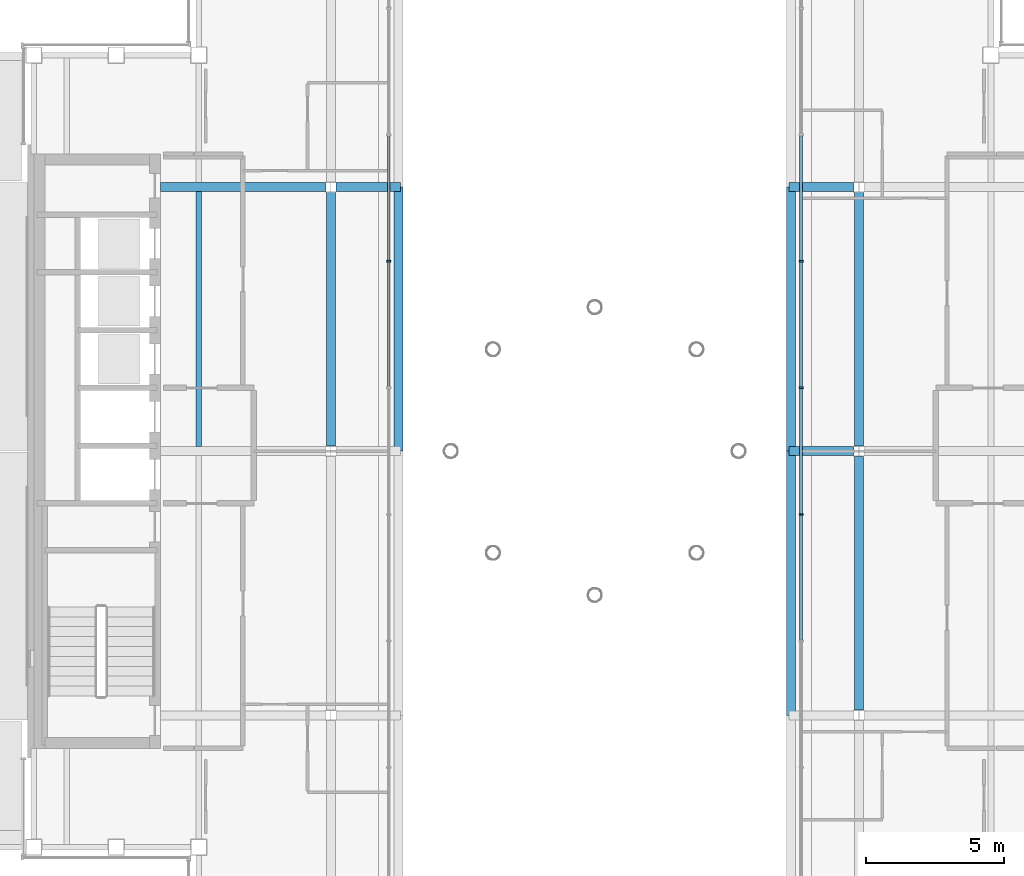
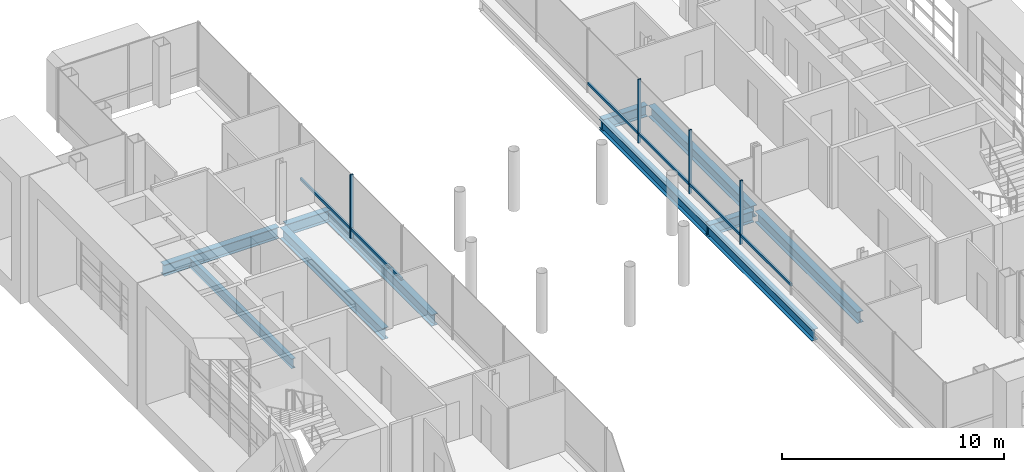
# One storey, part 5 of 21: 11 beams, 10 members, 2 elements without a shape of their own.
"""IFC4 building model written with IfcOpenShell, lengths in metres."""

from ifc_helpers import new_model, si_unit, direction, frame, origin, origin_2d, place, context, subcontext, project, spatial, rectangle, i_section, extrude, material, material_profile, profile_set, type_object, element, aggregate, save


model = new_model("IFC4")

# Units and contexts
model_context = context("Model", 3, precision=1e-05, world=origin(), true_north=direction((0.0, 1.0)))
body_context = subcontext(model_context, "Body", "Model", "MODEL_VIEW")
ifc_project = project(units=[si_unit("LENGTHUNIT", "METRE"), si_unit("AREAUNIT", "SQUARE_METRE"), si_unit("VOLUMEUNIT", "CUBIC_METRE"), si_unit("PLANEANGLEUNIT", "RADIAN"), si_unit("MASSUNIT", "GRAM", prefix="KILO")], contexts=[model_context])

# Site, building, storey
site_placement = place(None, origin())
site = spatial("IfcSite", under=ifc_project, at=site_placement, CompositionType="ELEMENT")
building_placement = place(site_placement, origin())
building = spatial("IfcBuilding", under=site, at=building_placement, Name="Cobrizo Arcos Hotel Tower", CompositionType="ELEMENT")
storey_placement = place(building_placement, frame((0.0, 0.0, 269.0)))
storey = spatial("IfcBuildingStorey", under=building, at=storey_placement, Name="L71", CompositionType="ELEMENT", Elevation=269.0)

# Curtain wall, members
ifc_material_1 = material(Name="Aluminium 6063-T6 anodised bronze", Category="aluminium")
curtain_wall_type = type_object("IfcCurtainWallType", Name="CW-C arch infill and crown glazing", PredefinedType="NOTDEFINED", material=ifc_material_1)
curtain_wall_1_placement = place(storey_placement, origin())
curtain_wall_1 = element("IfcCurtainWall", 1, at=curtain_wall_1_placement, inside=storey, type_object=curtain_wall_type, Name="CW-C L71 W face", PredefinedType="NOTDEFINED")
ifc_material_profile_1 = material_profile(ifc_material_1, rectangle(XDim=0.14990234375, YDim=0.070068359375, at=origin_2d()), Name="CW-C mullion 150x70")
ifc_profile_set_1 = profile_set([ifc_material_profile_1], Name="Aluminium 6063-T6 anodised bronze")
member_type_1 = type_object("IfcMemberType", Name="CW-C mullion 150x70", PredefinedType="MULLION", material=ifc_profile_set_1)
member_1_placement = place(storey_placement, frame((7.4970703125, 6.89990234375, 0.0), z_axis=(0.0, 0.0, 1.0), x_axis=(-1.0, 0.0, 0.0)))
member_1 = element("IfcMember", 2, at=member_1_placement, type_object=member_type_1, Name="CW-C mullion 4", PredefinedType="MULLION", context=body_context, shape_type="SweptSolid", body=[
    extrude(rectangle(XDim=0.14990234375, YDim=0.070068359375, at=origin_2d()), origin(), (0.0, 0.0, 1.0), 3.5),
])
member_2_placement = place(storey_placement, frame((7.4970703125, 2.300048828125, 0.0), z_axis=(0.0, 0.0, 1.0), x_axis=(-1.0, 0.0, 0.0)))
member_2 = element("IfcMember", 3, at=member_2_placement, type_object=member_type_1, Name="CW-C mullion 5", PredefinedType="MULLION", context=body_context, shape_type="SweptSolid", body=[
    extrude(rectangle(XDim=0.14990234375, YDim=0.070068359375, at=origin_2d()), origin(), (0.0, 0.0, 1.0), 3.5),
])
member_3_placement = place(storey_placement, frame((7.4970703125, -2.300048828125, 0.0), z_axis=(0.0, 0.0, 1.0), x_axis=(-1.0, 0.0, 0.0)))
member_3 = element("IfcMember", 4, at=member_3_placement, type_object=member_type_1, Name="CW-C mullion 6", PredefinedType="MULLION", context=body_context, shape_type="SweptSolid", body=[
    extrude(rectangle(XDim=0.14990234375, YDim=0.070068359375, at=origin_2d()), origin(), (0.0, 0.0, 1.0), 3.5),
])

# Curtain wall, member
curtain_wall_2_placement = place(storey_placement, origin())
curtain_wall_2 = element("IfcCurtainWall", 5, at=curtain_wall_2_placement, inside=storey, type_object=curtain_wall_type, Name="CW-C L71 E face", PredefinedType="NOTDEFINED")
member_4_placement = place(storey_placement, frame((-7.4970703125, 6.89990234375, 0.0), z_axis=(0.0, 0.0, 1.0), x_axis=(1.0, 0.0, 0.0)))
member_4 = element("IfcMember", 6, at=member_4_placement, type_object=member_type_1, Name="CW-C mullion 7", PredefinedType="MULLION", context=body_context, shape_type="SweptSolid", body=[
    extrude(rectangle(XDim=0.14990234375, YDim=0.070068359375, at=origin_2d()), origin(), (0.0, 0.0, 1.0), 3.5),
])

# Member
ifc_material_profile_2 = material_profile(ifc_material_1, rectangle(XDim=0.10009765625, YDim=0.139892578125, at=origin_2d()), Name="CW-C transom 140x100")
ifc_profile_set_2 = profile_set([ifc_material_profile_2], Name="Aluminium 6063-T6 anodised bronze")
member_type_2 = type_object("IfcMemberType", Name="CW-C transom 140x100", PredefinedType="USERDEFINED", material=ifc_profile_set_2)
member_5_placement = place(storey_placement, frame((7.4970703125, 11.465087890625, 0.5), z_axis=(0.0, -1.0, 0.0), x_axis=(1.0, 0.0, 0.0)))
member_5 = element("IfcMember", 7, at=member_5_placement, type_object=member_type_2, Name="CW-C transom 2222", ObjectType="TRANSOM", PredefinedType="USERDEFINED", context=body_context, shape_type="SweptSolid", body=[
    extrude(rectangle(XDim=0.10009765625, YDim=0.139892578125, at=origin_2d()), origin(), (0.0, 0.0, 1.0), 4.530029296875),
])

member_6_placement = place(storey_placement, frame((7.4970703125, 6.864990234375, 0.5), z_axis=(0.0, -1.0, 0.0), x_axis=(1.0, 0.0, 0.0)))
member_6 = element("IfcMember", 8, at=member_6_placement, type_object=member_type_2, Name="CW-C transom 2223", ObjectType="TRANSOM", PredefinedType="USERDEFINED", context=body_context, shape_type="SweptSolid", body=[
    extrude(rectangle(XDim=0.10009765625, YDim=0.139892578125, at=origin_2d()), origin(), (0.0, 0.0, 1.0), 4.530029296875),
])

member_7_placement = place(storey_placement, frame((7.4970703125, 2.264892578125, 0.5), z_axis=(0.0, -1.0, 0.0), x_axis=(1.0, 0.0, 0.0)))
member_7 = element("IfcMember", 9, at=member_7_placement, type_object=member_type_2, Name="CW-C transom 2224", ObjectType="TRANSOM", PredefinedType="USERDEFINED", context=body_context, shape_type="SweptSolid", body=[
    extrude(rectangle(XDim=0.10009765625, YDim=0.139892578125, at=origin_2d()), origin(), (0.0, 0.0, 1.0), 4.52978515625),
])

member_8_placement = place(storey_placement, frame((7.4970703125, -2.3349609375, 0.5), z_axis=(0.0, -1.0, 0.0), x_axis=(1.0, 0.0, 0.0)))
member_8 = element("IfcMember", 10, at=member_8_placement, type_object=member_type_2, Name="CW-C transom 2225", ObjectType="TRANSOM", PredefinedType="USERDEFINED", context=body_context, shape_type="SweptSolid", body=[
    extrude(rectangle(XDim=0.10009765625, YDim=0.139892578125, at=origin_2d()), origin(), (0.0, 0.0, 1.0), 4.530029296875),
])

aggregate(curtain_wall_1, [member_1, member_2, member_3, member_5, member_6, member_7, member_8])

member_9_placement = place(storey_placement, frame((-7.4970703125, 2.3349609375, 0.5), z_axis=(0.0, 1.0, 0.0), x_axis=(-1.0, 0.0, 0.0)))
member_9 = element("IfcMember", 11, at=member_9_placement, type_object=member_type_2, Name="CW-C transom 2244", ObjectType="TRANSOM", PredefinedType="USERDEFINED", context=body_context, shape_type="SweptSolid", body=[
    extrude(rectangle(XDim=0.10009765625, YDim=0.139892578125, at=origin_2d()), origin(), (0.0, 0.0, 1.0), 4.530029296875),
])

member_10_placement = place(storey_placement, frame((-7.4970703125, 6.93505859375, 0.5), z_axis=(0.0, 1.0, 0.0), x_axis=(-1.0, 0.0, 0.0)))
member_10 = element("IfcMember", 12, at=member_10_placement, type_object=member_type_2, Name="CW-C transom 2245", ObjectType="TRANSOM", PredefinedType="USERDEFINED", context=body_context, shape_type="SweptSolid", body=[
    extrude(rectangle(XDim=0.10009765625, YDim=0.139892578125, at=origin_2d()), origin(), (0.0, 0.0, 1.0), 4.530029296875),
])

aggregate(curtain_wall_2, [member_4, member_9, member_10])

# Beams
ifc_material_2 = material(Name="Steel ASTM A992 Grade 50", Category="steel")
ifc_material_profile_3 = material_profile(ifc_material_2, i_section(OverallWidth=0.209228515625, OverallDepth=0.533447265625, WebThickness=0.01025390625, FlangeThickness=0.015625, at=origin_2d()), Name="W21X62")
ifc_profile_set_3 = profile_set([ifc_material_profile_3], Name="Steel ASTM A992 Grade 50")
beam_type_1 = type_object("IfcBeamType", Name="W21X62 joist", PredefinedType="JOIST", material=ifc_profile_set_3)
beam_1_placement = place(storey_placement, frame((-14.39990234375, 0.163818359375, -0.416748046875), z_axis=(0.0, 1.0, 0.0), x_axis=(-1.0, 0.0, 0.0)))
element("IfcBeam", 13, at=beam_1_placement, inside=storey, type_object=beam_type_1, Name="Floor joist J1, L71, no. 005", PredefinedType="JOIST", context=body_context, shape_type="SweptSolid", body=[
    extrude(i_section(OverallWidth=0.209228515625, OverallDepth=0.533447265625, WebThickness=0.01025390625, FlangeThickness=0.015625, at=origin_2d()), origin(), (0.0, 0.0, 1.0), 9.272216796875),
])
ifc_material_profile_4 = material_profile(ifc_material_2, i_section(OverallWidth=0.32763671875, OverallDepth=0.622314453125, WebThickness=0.015380859375, FlangeThickness=0.0244140625, at=origin_2d()), Name="W24X131")
ifc_profile_set_4 = profile_set([ifc_material_profile_4], Name="Steel ASTM A992 Grade 50")
beam_type_2 = type_object("IfcBeamType", Name="W24X131 edge beam", PredefinedType="BEAM", material=ifc_profile_set_4)
for number, where, z_axis, x_axis, name in (
    (14, (-7.137939453125, 9.60009765625, -0.461181640625), (0.0, -1.0, 0.0), (1.0, 0.0, 0.0), "Edge beam EB1, L71, no. 002"),
    (15, (7.137939453125, -9.60009765625, -0.461181640625), (0.0, 1.0, 0.0), (-1.0, 0.0, 0.0), "Edge beam EB1, L71, no. 006"),
    (16, (7.137939453125, 0.0, -0.461181640625), (0.0, 1.0, 0.0), (-1.0, 0.0, 0.0), "Edge beam EB1, L71, no. 007"),
):
    element("IfcBeam", number, at=place(storey_placement, frame(where, z_axis=z_axis, x_axis=x_axis)), inside=storey, type_object=beam_type_2, Name=name, PredefinedType="BEAM", context=body_context, shape_type="SweptSolid", body=[
        extrude(i_section(OverallWidth=0.32763671875, OverallDepth=0.622314453125, WebThickness=0.015380859375, FlangeThickness=0.0244140625, at=origin_2d()), origin(), (0.0, 0.0, 1.0), 9.60009765625),
    ])
ifc_material_profile_5 = material_profile(ifc_material_2, i_section(OverallWidth=0.32763671875, OverallDepth=0.622314453125, WebThickness=0.015380859375, FlangeThickness=0.0244140625, at=origin_2d()), Name="W24X131")
ifc_profile_set_5 = profile_set([ifc_material_profile_5], Name="Steel ASTM A992 Grade 50")
beam_type_3 = type_object("IfcBeamType", Name="W24X131 girder", PredefinedType="BEAM", material=ifc_profile_set_5)
beam_2_placement = place(storey_placement, frame((7.06396484375, 0.0, -0.461181640625), z_axis=(1.0, 0.0, 0.0), x_axis=(0.0, 1.0, 0.0)))
element("IfcBeam", 17, at=beam_2_placement, inside=storey, type_object=beam_type_3, Name="Floor girder G1, L71, no. 007", PredefinedType="BEAM", context=body_context, shape_type="SweptSolid", body=[
    extrude(i_section(OverallWidth=0.32763671875, OverallDepth=0.622314453125, WebThickness=0.015380859375, FlangeThickness=0.0244140625, at=origin_2d()), origin(), (0.0, 0.0, 1.0), 2.351806640625),
])
beam_3_placement = place(storey_placement, frame((-15.7900390625, 9.60009765625, -0.461181640625), z_axis=(1.0, 0.0, 0.0), x_axis=(0.0, 1.0, 0.0)))
element("IfcBeam", 18, at=beam_3_placement, inside=storey, type_object=beam_type_3, Name="Floor girder G1, L71, no. 009", PredefinedType="BEAM", context=body_context, shape_type="SweptSolid", body=[
    extrude(i_section(OverallWidth=0.32763671875, OverallDepth=0.622314453125, WebThickness=0.015380859375, FlangeThickness=0.0244140625, at=origin_2d()), origin(), (0.0, 0.0, 1.0), 6.005859375),
])
for number, where, z_axis, x_axis, name in (
    (19, (-9.415771484375, 9.60009765625, -0.461181640625), (1.0, 0.0, 0.0), (0.0, 1.0, 0.0), "Floor girder G1, L71, no. 010"),
    (20, (7.06396484375, 9.60009765625, -0.461181640625), (1.0, 0.0, 0.0), (0.0, 1.0, 0.0), "Floor girder G1, L71, no. 011"),
):
    element("IfcBeam", number, at=place(storey_placement, frame(where, z_axis=z_axis, x_axis=x_axis)), inside=storey, type_object=beam_type_3, Name=name, PredefinedType="BEAM", context=body_context, shape_type="SweptSolid", body=[
        extrude(i_section(OverallWidth=0.32763671875, OverallDepth=0.622314453125, WebThickness=0.015380859375, FlangeThickness=0.0244140625, at=origin_2d()), origin(), (0.0, 0.0, 1.0), 2.351806640625),
    ])
for number, where, z_axis, x_axis, name in (
    (21, (-9.60009765625, 0.18408203125, -0.461181640625), (0.0, 1.0, 0.0), (-1.0, 0.0, 0.0), "Floor girder G1, L71, no. 015"),
    (22, (9.60009765625, -9.415771484375, -0.461181640625), (0.0, 1.0, 0.0), (-1.0, 0.0, 0.0), "Floor girder G1, L71, no. 018"),
    (23, (9.60009765625, 0.18408203125, -0.461181640625), (0.0, 1.0, 0.0), (-1.0, 0.0, 0.0), "Floor girder G1, L71, no. 019"),
):
    element("IfcBeam", number, at=place(storey_placement, frame(where, z_axis=z_axis, x_axis=x_axis)), inside=storey, type_object=beam_type_3, Name=name, PredefinedType="BEAM", context=body_context, shape_type="SweptSolid", body=[
        extrude(i_section(OverallWidth=0.32763671875, OverallDepth=0.622314453125, WebThickness=0.015380859375, FlangeThickness=0.0244140625, at=origin_2d()), origin(), (0.0, 0.0, 1.0), 9.231689453125),
    ])

save(model, "model.ifc")
